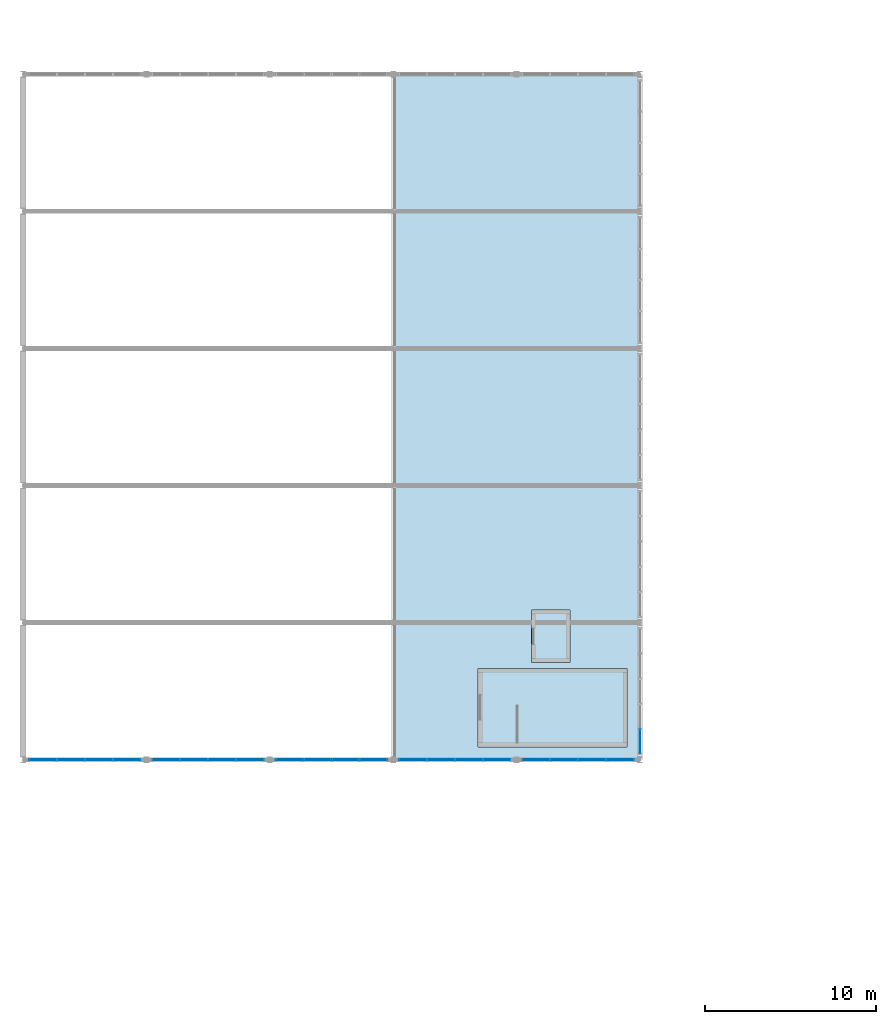
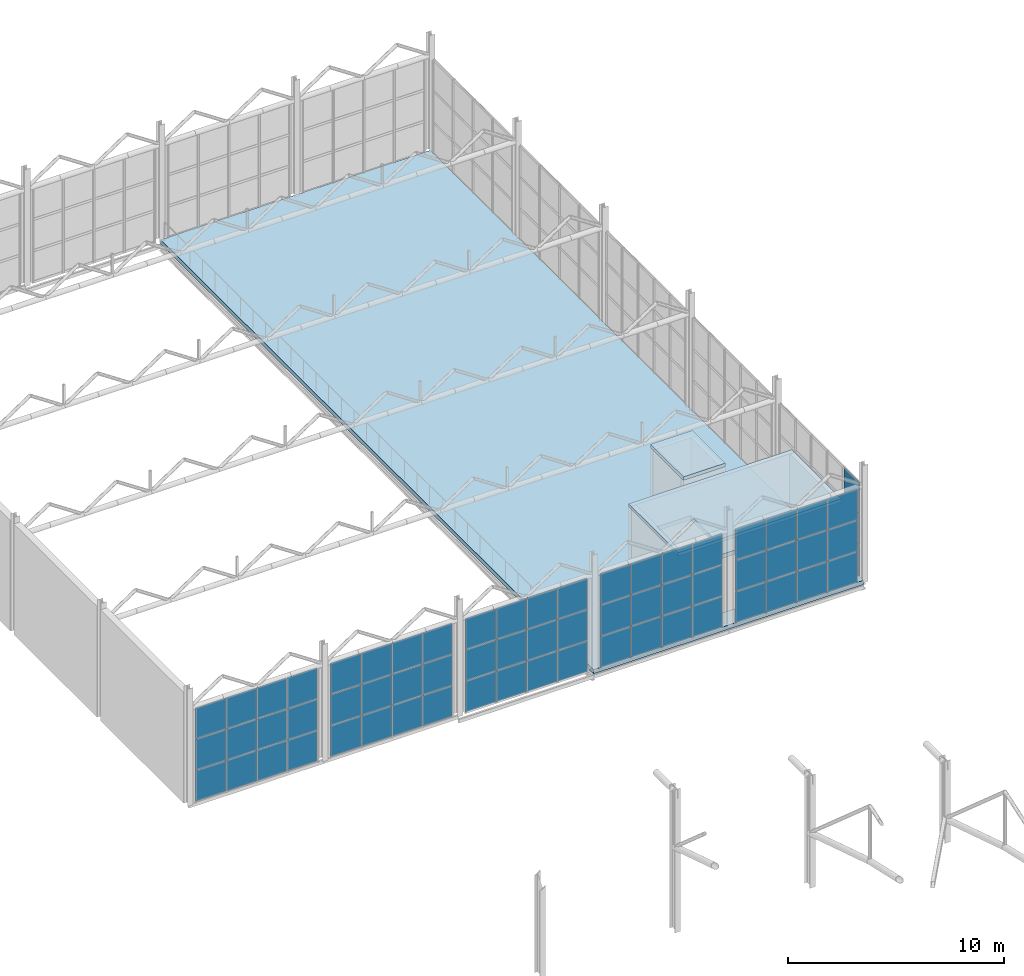
# One storey, part 125 of 153: 63 plates, 3 slabs, 6 elements without a shape of their own.
"""IFC4 building model written with IfcOpenShell, lengths in metres."""

from ifc_helpers import new_model, si_unit, derived_unit, direction, frame, origin, origin_2d, place, context, subcontext, project, spatial, polyline, rectangle, outline, extrude, material, layer, layer_set, type_object, element, aggregate, save


model = new_model("IFC4")

# Units and contexts
model_context = context("Model", 3, precision=1e-05, world=origin(), true_north=direction((0.0, 1.0)))
body_context = subcontext(model_context, "Body", "Model", "MODEL_VIEW")
ifc_project = project(units=[si_unit("LENGTHUNIT", "METRE"), si_unit("AREAUNIT", "SQUARE_METRE"), si_unit("VOLUMEUNIT", "CUBIC_METRE"), si_unit("PLANEANGLEUNIT", "RADIAN"), si_unit("MASSUNIT", "GRAM", prefix="KILO"), derived_unit("THERMALTRANSMITTANCEUNIT", [(si_unit("POWERUNIT", "WATT"), 1), (si_unit("LENGTHUNIT", "METRE"), -2), (si_unit("THERMODYNAMICTEMPERATUREUNIT", "KELVIN"), -1)])], contexts=[model_context])

# Site, building, storey
site_placement = place(None, origin())
site = spatial("IfcSite", under=ifc_project, at=site_placement, CompositionType="ELEMENT")
building_placement = place(site_placement, origin())
building = spatial("IfcBuilding", under=site, at=building_placement, Name="Keldorne Ridge Multi-Sports Centre", CompositionType="ELEMENT")
storey_placement = place(building_placement, frame((0.0, 0.0, 9.60009765625)))
storey = spatial("IfcBuildingStorey", under=building, at=storey_placement, Name="L02", CompositionType="ELEMENT", Elevation=9.60009765625)

# Curtain wall, plates
ifc_material_1 = material(Name="Anodized aluminium", Category="aluminium")
curtain_wall_type_1 = type_object("IfcCurtainWallType", Name="CW-CW-04", PredefinedType="NOTDEFINED", material=ifc_material_1)
curtain_wall_1_placement = place(storey_placement, origin())
curtain_wall_1 = element("IfcCurtainWall", 1, at=curtain_wall_1_placement, inside=storey, type_object=curtain_wall_type_1, Name="Climbing east courtyard glazing L02 060", PredefinedType="NOTDEFINED")
ifc_material_2 = material(Name="Double low-e insulated glazing", Category="glass")
ifc_layer_1 = layer(ifc_material_2, 0.035888671875)
ifc_layer_set_1 = layer_set([ifc_layer_1])
plate_type_1 = type_object("IfcPlateType", Name="PLT-GL-01", PredefinedType="CURTAIN_PANEL", material=ifc_layer_set_1)
plate_1_placement = place(storey_placement, frame((42.0, 75.072021484375, 0.02001953125), z_axis=(0.0, 0.0, 1.0), x_axis=(0.0, 1.0, 0.0)))
plate_1 = element("IfcPlate", 2, at=plate_1_placement, type_object=plate_type_1, Name="CW-060 glazed panel 1.1", PredefinedType="CURTAIN_PANEL", context=body_context, shape_type="SweptSolid", body=[
    extrude(rectangle(XDim=1.424072265625, YDim=0.035888671875, at=origin_2d()), origin(), (0.0, 0.0, 1.0), 1.726806640625),
])
plate_2_placement = place(storey_placement, frame((42.0, 75.072021484375, 1.78662109375), z_axis=(0.0, 0.0, 1.0), x_axis=(0.0, 1.0, 0.0)))
plate_2 = element("IfcPlate", 3, at=plate_2_placement, type_object=plate_type_1, Name="CW-060 glazed panel 1.2", PredefinedType="CURTAIN_PANEL", context=body_context, shape_type="SweptSolid", body=[
    extrude(rectangle(XDim=1.424072265625, YDim=0.035888671875, at=origin_2d()), origin(), (0.0, 0.0, 1.0), 1.726806640625),
])
plate_3_placement = place(storey_placement, frame((42.0, 75.072021484375, 3.55322265625), z_axis=(0.0, 0.0, 1.0), x_axis=(0.0, 1.0, 0.0)))
plate_3 = element("IfcPlate", 4, at=plate_3_placement, type_object=plate_type_1, Name="CW-060 glazed panel 1.3", PredefinedType="CURTAIN_PANEL", context=body_context, shape_type="SweptSolid", body=[
    extrude(rectangle(XDim=1.424072265625, YDim=0.035888671875, at=origin_2d()), origin(), (0.0, 0.0, 1.0), 1.726806640625),
])
aggregate(curtain_wall_1, [plate_1, plate_2, plate_3])

curtain_wall_2_placement = place(storey_placement, origin())
curtain_wall_2 = element("IfcCurtainWall", 5, at=curtain_wall_2_placement, inside=storey, type_object=curtain_wall_type_1, Name="Climbing upper south glazing 036", PredefinedType="NOTDEFINED")
ifc_material_3 = material(Name="Triple acoustic low-e glazing", Category="glass")
ifc_layer_2 = layer(ifc_material_3, 0.0439453125)
ifc_layer_set_2 = layer_set([ifc_layer_2])
plate_type_2 = type_object("IfcPlateType", Name="PLT-GL-02", PredefinedType="CURTAIN_PANEL", material=ifc_layer_set_2)
plate_4_placement = place(storey_placement, frame((7.155029296875, 74.0, 0.02001953125), z_axis=(0.0, 0.0, 1.0), x_axis=(1.0, 0.0, 0.0)))
plate_4 = element("IfcPlate", 6, at=plate_4_placement, type_object=plate_type_2, Name="CW-036 glazed panel 1.1", PredefinedType="CURTAIN_PANEL", context=body_context, shape_type="SweptSolid", body=[
    extrude(rectangle(XDim=1.590087890625, YDim=0.0439453125, at=origin_2d()), origin(), (0.0, 0.0, 1.0), 1.726806640625),
])
plate_5_placement = place(storey_placement, frame((7.155029296875, 74.0, 1.78662109375), z_axis=(0.0, 0.0, 1.0), x_axis=(1.0, 0.0, 0.0)))
plate_5 = element("IfcPlate", 7, at=plate_5_placement, type_object=plate_type_2, Name="CW-036 glazed panel 1.2", PredefinedType="CURTAIN_PANEL", context=body_context, shape_type="SweptSolid", body=[
    extrude(rectangle(XDim=1.590087890625, YDim=0.0439453125, at=origin_2d()), origin(), (0.0, 0.0, 1.0), 1.726806640625),
])
plate_6_placement = place(storey_placement, frame((7.155029296875, 74.0, 3.55322265625), z_axis=(0.0, 0.0, 1.0), x_axis=(1.0, 0.0, 0.0)))
plate_6 = element("IfcPlate", 8, at=plate_6_placement, type_object=plate_type_2, Name="CW-036 glazed panel 1.3", PredefinedType="CURTAIN_PANEL", context=body_context, shape_type="SweptSolid", body=[
    extrude(rectangle(XDim=1.590087890625, YDim=0.0439453125, at=origin_2d()), origin(), (0.0, 0.0, 1.0), 1.726806640625),
])
plate_7_placement = place(storey_placement, frame((8.784912109375, 74.0, 0.02001953125), z_axis=(0.0, 0.0, 1.0), x_axis=(1.0, 0.0, 0.0)))
plate_7 = element("IfcPlate", 9, at=plate_7_placement, type_object=plate_type_2, Name="CW-036 glazed panel 2.1", PredefinedType="CURTAIN_PANEL", context=body_context, shape_type="SweptSolid", body=[
    extrude(rectangle(XDim=1.590087890625, YDim=0.0439453125, at=origin_2d()), origin(), (0.0, 0.0, 1.0), 1.726806640625),
])
plate_8_placement = place(storey_placement, frame((8.784912109375, 74.0, 1.78662109375), z_axis=(0.0, 0.0, 1.0), x_axis=(1.0, 0.0, 0.0)))
plate_8 = element("IfcPlate", 10, at=plate_8_placement, type_object=plate_type_2, Name="CW-036 glazed panel 2.2", PredefinedType="CURTAIN_PANEL", context=body_context, shape_type="SweptSolid", body=[
    extrude(rectangle(XDim=1.590087890625, YDim=0.0439453125, at=origin_2d()), origin(), (0.0, 0.0, 1.0), 1.726806640625),
])
plate_9_placement = place(storey_placement, frame((8.784912109375, 74.0, 3.55322265625), z_axis=(0.0, 0.0, 1.0), x_axis=(1.0, 0.0, 0.0)))
plate_9 = element("IfcPlate", 11, at=plate_9_placement, type_object=plate_type_2, Name="CW-036 glazed panel 2.3", PredefinedType="CURTAIN_PANEL", context=body_context, shape_type="SweptSolid", body=[
    extrude(rectangle(XDim=1.590087890625, YDim=0.0439453125, at=origin_2d()), origin(), (0.0, 0.0, 1.0), 1.726806640625),
])
plate_10_placement = place(storey_placement, frame((10.4150390625, 74.0, 0.02001953125), z_axis=(0.0, 0.0, 1.0), x_axis=(1.0, 0.0, 0.0)))
plate_10 = element("IfcPlate", 12, at=plate_10_placement, type_object=plate_type_2, Name="CW-036 glazed panel 3.1", PredefinedType="CURTAIN_PANEL", context=body_context, shape_type="SweptSolid", body=[
    extrude(rectangle(XDim=1.590087890625, YDim=0.0439453125, at=origin_2d()), origin(), (0.0, 0.0, 1.0), 1.726806640625),
])
plate_11_placement = place(storey_placement, frame((10.4150390625, 74.0, 1.78662109375), z_axis=(0.0, 0.0, 1.0), x_axis=(1.0, 0.0, 0.0)))
plate_11 = element("IfcPlate", 13, at=plate_11_placement, type_object=plate_type_2, Name="CW-036 glazed panel 3.2", PredefinedType="CURTAIN_PANEL", context=body_context, shape_type="SweptSolid", body=[
    extrude(rectangle(XDim=1.590087890625, YDim=0.0439453125, at=origin_2d()), origin(), (0.0, 0.0, 1.0), 1.726806640625),
])
plate_12_placement = place(storey_placement, frame((10.4150390625, 74.0, 3.55322265625), z_axis=(0.0, 0.0, 1.0), x_axis=(1.0, 0.0, 0.0)))
plate_12 = element("IfcPlate", 14, at=plate_12_placement, type_object=plate_type_2, Name="CW-036 glazed panel 3.3", PredefinedType="CURTAIN_PANEL", context=body_context, shape_type="SweptSolid", body=[
    extrude(rectangle(XDim=1.590087890625, YDim=0.0439453125, at=origin_2d()), origin(), (0.0, 0.0, 1.0), 1.726806640625),
])
plate_13_placement = place(storey_placement, frame((12.044921875, 74.0, 0.02001953125), z_axis=(0.0, 0.0, 1.0), x_axis=(1.0, 0.0, 0.0)))
plate_13 = element("IfcPlate", 15, at=plate_13_placement, type_object=plate_type_2, Name="CW-036 glazed panel 4.1", PredefinedType="CURTAIN_PANEL", context=body_context, shape_type="SweptSolid", body=[
    extrude(rectangle(XDim=1.590087890625, YDim=0.0439453125, at=origin_2d()), origin(), (0.0, 0.0, 1.0), 1.726806640625),
])
plate_14_placement = place(storey_placement, frame((12.044921875, 74.0, 1.78662109375), z_axis=(0.0, 0.0, 1.0), x_axis=(1.0, 0.0, 0.0)))
plate_14 = element("IfcPlate", 16, at=plate_14_placement, type_object=plate_type_2, Name="CW-036 glazed panel 4.2", PredefinedType="CURTAIN_PANEL", context=body_context, shape_type="SweptSolid", body=[
    extrude(rectangle(XDim=1.590087890625, YDim=0.0439453125, at=origin_2d()), origin(), (0.0, 0.0, 1.0), 1.726806640625),
])
plate_15_placement = place(storey_placement, frame((12.044921875, 74.0, 3.55322265625), z_axis=(0.0, 0.0, 1.0), x_axis=(1.0, 0.0, 0.0)))
plate_15 = element("IfcPlate", 17, at=plate_15_placement, type_object=plate_type_2, Name="CW-036 glazed panel 4.3", PredefinedType="CURTAIN_PANEL", context=body_context, shape_type="SweptSolid", body=[
    extrude(rectangle(XDim=1.590087890625, YDim=0.0439453125, at=origin_2d()), origin(), (0.0, 0.0, 1.0), 1.726806640625),
])
aggregate(curtain_wall_2, [plate_4, plate_5, plate_6, plate_7, plate_8, plate_9, plate_10, plate_11, plate_12, plate_13, plate_14, plate_15])

curtain_wall_type_2 = type_object("IfcCurtainWallType", Name="CW-CW-01", PredefinedType="NOTDEFINED", material=ifc_material_1)
curtain_wall_3_placement = place(storey_placement, origin())
curtain_wall_3 = element("IfcCurtainWall", 18, at=curtain_wall_3_placement, inside=storey, type_object=curtain_wall_type_2, Name="Climbing upper south glazing 041", PredefinedType="NOTDEFINED")
plate_16_placement = place(storey_placement, frame((14.35498046875, 74.0, 0.02001953125), z_axis=(0.0, 0.0, 1.0), x_axis=(1.0, 0.0, 0.0)))
plate_16 = element("IfcPlate", 19, at=plate_16_placement, type_object=plate_type_2, Name="CW-041 glazed panel 1.1", PredefinedType="CURTAIN_PANEL", context=body_context, shape_type="SweptSolid", body=[
    extrude(rectangle(XDim=1.590087890625, YDim=0.0439453125, at=origin_2d()), origin(), (0.0, 0.0, 1.0), 1.726806640625),
])
plate_17_placement = place(storey_placement, frame((14.35498046875, 74.0, 1.78662109375), z_axis=(0.0, 0.0, 1.0), x_axis=(1.0, 0.0, 0.0)))
plate_17 = element("IfcPlate", 20, at=plate_17_placement, type_object=plate_type_2, Name="CW-041 glazed panel 1.2", PredefinedType="CURTAIN_PANEL", context=body_context, shape_type="SweptSolid", body=[
    extrude(rectangle(XDim=1.590087890625, YDim=0.0439453125, at=origin_2d()), origin(), (0.0, 0.0, 1.0), 1.726806640625),
])
plate_18_placement = place(storey_placement, frame((14.35498046875, 74.0, 3.55322265625), z_axis=(0.0, 0.0, 1.0), x_axis=(1.0, 0.0, 0.0)))
plate_18 = element("IfcPlate", 21, at=plate_18_placement, type_object=plate_type_2, Name="CW-041 glazed panel 1.3", PredefinedType="CURTAIN_PANEL", context=body_context, shape_type="SweptSolid", body=[
    extrude(rectangle(XDim=1.590087890625, YDim=0.0439453125, at=origin_2d()), origin(), (0.0, 0.0, 1.0), 1.726806640625),
])
plate_19_placement = place(storey_placement, frame((15.985107421875, 74.0, 0.02001953125), z_axis=(0.0, 0.0, 1.0), x_axis=(1.0, 0.0, 0.0)))
plate_19 = element("IfcPlate", 22, at=plate_19_placement, type_object=plate_type_2, Name="CW-041 glazed panel 2.1", PredefinedType="CURTAIN_PANEL", context=body_context, shape_type="SweptSolid", body=[
    extrude(rectangle(XDim=1.590087890625, YDim=0.0439453125, at=origin_2d()), origin(), (0.0, 0.0, 1.0), 1.726806640625),
])
plate_20_placement = place(storey_placement, frame((15.985107421875, 74.0, 1.78662109375), z_axis=(0.0, 0.0, 1.0), x_axis=(1.0, 0.0, 0.0)))
plate_20 = element("IfcPlate", 23, at=plate_20_placement, type_object=plate_type_2, Name="CW-041 glazed panel 2.2", PredefinedType="CURTAIN_PANEL", context=body_context, shape_type="SweptSolid", body=[
    extrude(rectangle(XDim=1.590087890625, YDim=0.0439453125, at=origin_2d()), origin(), (0.0, 0.0, 1.0), 1.726806640625),
])
plate_21_placement = place(storey_placement, frame((15.985107421875, 74.0, 3.55322265625), z_axis=(0.0, 0.0, 1.0), x_axis=(1.0, 0.0, 0.0)))
plate_21 = element("IfcPlate", 24, at=plate_21_placement, type_object=plate_type_2, Name="CW-041 glazed panel 2.3", PredefinedType="CURTAIN_PANEL", context=body_context, shape_type="SweptSolid", body=[
    extrude(rectangle(XDim=1.590087890625, YDim=0.0439453125, at=origin_2d()), origin(), (0.0, 0.0, 1.0), 1.726806640625),
])
plate_22_placement = place(storey_placement, frame((17.614990234375, 74.0, 0.02001953125), z_axis=(0.0, 0.0, 1.0), x_axis=(1.0, 0.0, 0.0)))
plate_22 = element("IfcPlate", 25, at=plate_22_placement, type_object=plate_type_2, Name="CW-041 glazed panel 3.1", PredefinedType="CURTAIN_PANEL", context=body_context, shape_type="SweptSolid", body=[
    extrude(rectangle(XDim=1.590087890625, YDim=0.0439453125, at=origin_2d()), origin(), (0.0, 0.0, 1.0), 1.726806640625),
])
plate_23_placement = place(storey_placement, frame((17.614990234375, 74.0, 1.78662109375), z_axis=(0.0, 0.0, 1.0), x_axis=(1.0, 0.0, 0.0)))
plate_23 = element("IfcPlate", 26, at=plate_23_placement, type_object=plate_type_2, Name="CW-041 glazed panel 3.2", PredefinedType="CURTAIN_PANEL", context=body_context, shape_type="SweptSolid", body=[
    extrude(rectangle(XDim=1.590087890625, YDim=0.0439453125, at=origin_2d()), origin(), (0.0, 0.0, 1.0), 1.726806640625),
])
plate_24_placement = place(storey_placement, frame((17.614990234375, 74.0, 3.55322265625), z_axis=(0.0, 0.0, 1.0), x_axis=(1.0, 0.0, 0.0)))
plate_24 = element("IfcPlate", 27, at=plate_24_placement, type_object=plate_type_2, Name="CW-041 glazed panel 3.3", PredefinedType="CURTAIN_PANEL", context=body_context, shape_type="SweptSolid", body=[
    extrude(rectangle(XDim=1.590087890625, YDim=0.0439453125, at=origin_2d()), origin(), (0.0, 0.0, 1.0), 1.726806640625),
])
plate_25_placement = place(storey_placement, frame((19.2451171875, 74.0, 0.02001953125), z_axis=(0.0, 0.0, 1.0), x_axis=(1.0, 0.0, 0.0)))
plate_25 = element("IfcPlate", 28, at=plate_25_placement, type_object=plate_type_2, Name="CW-041 glazed panel 4.1", PredefinedType="CURTAIN_PANEL", context=body_context, shape_type="SweptSolid", body=[
    extrude(rectangle(XDim=1.590087890625, YDim=0.0439453125, at=origin_2d()), origin(), (0.0, 0.0, 1.0), 1.726806640625),
])
plate_26_placement = place(storey_placement, frame((19.2451171875, 74.0, 1.78662109375), z_axis=(0.0, 0.0, 1.0), x_axis=(1.0, 0.0, 0.0)))
plate_26 = element("IfcPlate", 29, at=plate_26_placement, type_object=plate_type_2, Name="CW-041 glazed panel 4.2", PredefinedType="CURTAIN_PANEL", context=body_context, shape_type="SweptSolid", body=[
    extrude(rectangle(XDim=1.590087890625, YDim=0.0439453125, at=origin_2d()), origin(), (0.0, 0.0, 1.0), 1.726806640625),
])
plate_27_placement = place(storey_placement, frame((19.2451171875, 74.0, 3.55322265625), z_axis=(0.0, 0.0, 1.0), x_axis=(1.0, 0.0, 0.0)))
plate_27 = element("IfcPlate", 30, at=plate_27_placement, type_object=plate_type_2, Name="CW-041 glazed panel 4.3", PredefinedType="CURTAIN_PANEL", context=body_context, shape_type="SweptSolid", body=[
    extrude(rectangle(XDim=1.590087890625, YDim=0.0439453125, at=origin_2d()), origin(), (0.0, 0.0, 1.0), 1.726806640625),
])
aggregate(curtain_wall_3, [plate_16, plate_17, plate_18, plate_19, plate_20, plate_21, plate_22, plate_23, plate_24, plate_25, plate_26, plate_27])

curtain_wall_type_3 = type_object("IfcCurtainWallType", Name="CW-CW-05", PredefinedType="NOTDEFINED", material=ifc_material_1)
curtain_wall_4_placement = place(storey_placement, origin())
curtain_wall_4 = element("IfcCurtainWall", 31, at=curtain_wall_4_placement, inside=storey, type_object=curtain_wall_type_3, Name="Climbing upper south glazing 045", PredefinedType="NOTDEFINED")
plate_28_placement = place(storey_placement, frame((21.554931640625, 74.0, 0.02001953125), z_axis=(0.0, 0.0, 1.0), x_axis=(1.0, 0.0, 0.0)))
plate_28 = element("IfcPlate", 32, at=plate_28_placement, type_object=plate_type_2, Name="CW-045 glazed panel 1.1", PredefinedType="CURTAIN_PANEL", context=body_context, shape_type="SweptSolid", body=[
    extrude(rectangle(XDim=1.590087890625, YDim=0.0439453125, at=origin_2d()), origin(), (0.0, 0.0, 1.0), 1.726806640625),
])
plate_29_placement = place(storey_placement, frame((21.554931640625, 74.0, 1.78662109375), z_axis=(0.0, 0.0, 1.0), x_axis=(1.0, 0.0, 0.0)))
plate_29 = element("IfcPlate", 33, at=plate_29_placement, type_object=plate_type_2, Name="CW-045 glazed panel 1.2", PredefinedType="CURTAIN_PANEL", context=body_context, shape_type="SweptSolid", body=[
    extrude(rectangle(XDim=1.590087890625, YDim=0.0439453125, at=origin_2d()), origin(), (0.0, 0.0, 1.0), 1.726806640625),
])
plate_30_placement = place(storey_placement, frame((21.554931640625, 74.0, 3.55322265625), z_axis=(0.0, 0.0, 1.0), x_axis=(1.0, 0.0, 0.0)))
plate_30 = element("IfcPlate", 34, at=plate_30_placement, type_object=plate_type_2, Name="CW-045 glazed panel 1.3", PredefinedType="CURTAIN_PANEL", context=body_context, shape_type="SweptSolid", body=[
    extrude(rectangle(XDim=1.590087890625, YDim=0.0439453125, at=origin_2d()), origin(), (0.0, 0.0, 1.0), 1.726806640625),
])
plate_31_placement = place(storey_placement, frame((23.18505859375, 74.0, 0.02001953125), z_axis=(0.0, 0.0, 1.0), x_axis=(1.0, 0.0, 0.0)))
plate_31 = element("IfcPlate", 35, at=plate_31_placement, type_object=plate_type_2, Name="CW-045 glazed panel 2.1", PredefinedType="CURTAIN_PANEL", context=body_context, shape_type="SweptSolid", body=[
    extrude(rectangle(XDim=1.590087890625, YDim=0.0439453125, at=origin_2d()), origin(), (0.0, 0.0, 1.0), 1.726806640625),
])
plate_32_placement = place(storey_placement, frame((23.18505859375, 74.0, 1.78662109375), z_axis=(0.0, 0.0, 1.0), x_axis=(1.0, 0.0, 0.0)))
plate_32 = element("IfcPlate", 36, at=plate_32_placement, type_object=plate_type_2, Name="CW-045 glazed panel 2.2", PredefinedType="CURTAIN_PANEL", context=body_context, shape_type="SweptSolid", body=[
    extrude(rectangle(XDim=1.590087890625, YDim=0.0439453125, at=origin_2d()), origin(), (0.0, 0.0, 1.0), 1.726806640625),
])
plate_33_placement = place(storey_placement, frame((23.18505859375, 74.0, 3.55322265625), z_axis=(0.0, 0.0, 1.0), x_axis=(1.0, 0.0, 0.0)))
plate_33 = element("IfcPlate", 37, at=plate_33_placement, type_object=plate_type_2, Name="CW-045 glazed panel 2.3", PredefinedType="CURTAIN_PANEL", context=body_context, shape_type="SweptSolid", body=[
    extrude(rectangle(XDim=1.590087890625, YDim=0.0439453125, at=origin_2d()), origin(), (0.0, 0.0, 1.0), 1.726806640625),
])
plate_34_placement = place(storey_placement, frame((24.81494140625, 74.0, 0.02001953125), z_axis=(0.0, 0.0, 1.0), x_axis=(1.0, 0.0, 0.0)))
plate_34 = element("IfcPlate", 38, at=plate_34_placement, type_object=plate_type_2, Name="CW-045 glazed panel 3.1", PredefinedType="CURTAIN_PANEL", context=body_context, shape_type="SweptSolid", body=[
    extrude(rectangle(XDim=1.590087890625, YDim=0.0439453125, at=origin_2d()), origin(), (0.0, 0.0, 1.0), 1.726806640625),
])
plate_35_placement = place(storey_placement, frame((24.81494140625, 74.0, 1.78662109375), z_axis=(0.0, 0.0, 1.0), x_axis=(1.0, 0.0, 0.0)))
plate_35 = element("IfcPlate", 39, at=plate_35_placement, type_object=plate_type_2, Name="CW-045 glazed panel 3.2", PredefinedType="CURTAIN_PANEL", context=body_context, shape_type="SweptSolid", body=[
    extrude(rectangle(XDim=1.590087890625, YDim=0.0439453125, at=origin_2d()), origin(), (0.0, 0.0, 1.0), 1.726806640625),
])
plate_36_placement = place(storey_placement, frame((24.81494140625, 74.0, 3.55322265625), z_axis=(0.0, 0.0, 1.0), x_axis=(1.0, 0.0, 0.0)))
plate_36 = element("IfcPlate", 40, at=plate_36_placement, type_object=plate_type_2, Name="CW-045 glazed panel 3.3", PredefinedType="CURTAIN_PANEL", context=body_context, shape_type="SweptSolid", body=[
    extrude(rectangle(XDim=1.590087890625, YDim=0.0439453125, at=origin_2d()), origin(), (0.0, 0.0, 1.0), 1.726806640625),
])
plate_37_placement = place(storey_placement, frame((26.445068359375, 74.0, 0.02001953125), z_axis=(0.0, 0.0, 1.0), x_axis=(1.0, 0.0, 0.0)))
plate_37 = element("IfcPlate", 41, at=plate_37_placement, type_object=plate_type_2, Name="CW-045 glazed panel 4.1", PredefinedType="CURTAIN_PANEL", context=body_context, shape_type="SweptSolid", body=[
    extrude(rectangle(XDim=1.590087890625, YDim=0.0439453125, at=origin_2d()), origin(), (0.0, 0.0, 1.0), 1.726806640625),
])
plate_38_placement = place(storey_placement, frame((26.445068359375, 74.0, 1.78662109375), z_axis=(0.0, 0.0, 1.0), x_axis=(1.0, 0.0, 0.0)))
plate_38 = element("IfcPlate", 42, at=plate_38_placement, type_object=plate_type_2, Name="CW-045 glazed panel 4.2", PredefinedType="CURTAIN_PANEL", context=body_context, shape_type="SweptSolid", body=[
    extrude(rectangle(XDim=1.590087890625, YDim=0.0439453125, at=origin_2d()), origin(), (0.0, 0.0, 1.0), 1.726806640625),
])
plate_39_placement = place(storey_placement, frame((26.445068359375, 74.0, 3.55322265625), z_axis=(0.0, 0.0, 1.0), x_axis=(1.0, 0.0, 0.0)))
plate_39 = element("IfcPlate", 43, at=plate_39_placement, type_object=plate_type_2, Name="CW-045 glazed panel 4.3", PredefinedType="CURTAIN_PANEL", context=body_context, shape_type="SweptSolid", body=[
    extrude(rectangle(XDim=1.590087890625, YDim=0.0439453125, at=origin_2d()), origin(), (0.0, 0.0, 1.0), 1.726806640625),
])
aggregate(curtain_wall_4, [plate_28, plate_29, plate_30, plate_31, plate_32, plate_33, plate_34, plate_35, plate_36, plate_37, plate_38, plate_39])

curtain_wall_5_placement = place(storey_placement, origin())
curtain_wall_5 = element("IfcCurtainWall", 44, at=curtain_wall_5_placement, inside=storey, type_object=curtain_wall_type_2, Name="Climbing upper south glazing 049", PredefinedType="NOTDEFINED")
plate_40_placement = place(storey_placement, frame((28.7548828125, 74.0, 0.02001953125), z_axis=(0.0, 0.0, 1.0), x_axis=(1.0, 0.0, 0.0)))
plate_40 = element("IfcPlate", 45, at=plate_40_placement, type_object=plate_type_2, Name="CW-049 glazed panel 1.1", PredefinedType="CURTAIN_PANEL", context=body_context, shape_type="SweptSolid", body=[
    extrude(rectangle(XDim=1.590087890625, YDim=0.0439453125, at=origin_2d()), origin(), (0.0, 0.0, 1.0), 1.726806640625),
])
plate_41_placement = place(storey_placement, frame((28.7548828125, 74.0, 1.78662109375), z_axis=(0.0, 0.0, 1.0), x_axis=(1.0, 0.0, 0.0)))
plate_41 = element("IfcPlate", 46, at=plate_41_placement, type_object=plate_type_2, Name="CW-049 glazed panel 1.2", PredefinedType="CURTAIN_PANEL", context=body_context, shape_type="SweptSolid", body=[
    extrude(rectangle(XDim=1.590087890625, YDim=0.0439453125, at=origin_2d()), origin(), (0.0, 0.0, 1.0), 1.726806640625),
])
plate_42_placement = place(storey_placement, frame((28.7548828125, 74.0, 3.55322265625), z_axis=(0.0, 0.0, 1.0), x_axis=(1.0, 0.0, 0.0)))
plate_42 = element("IfcPlate", 47, at=plate_42_placement, type_object=plate_type_2, Name="CW-049 glazed panel 1.3", PredefinedType="CURTAIN_PANEL", context=body_context, shape_type="SweptSolid", body=[
    extrude(rectangle(XDim=1.590087890625, YDim=0.0439453125, at=origin_2d()), origin(), (0.0, 0.0, 1.0), 1.726806640625),
])
plate_43_placement = place(storey_placement, frame((30.385009765625, 74.0, 0.02001953125), z_axis=(0.0, 0.0, 1.0), x_axis=(1.0, 0.0, 0.0)))
plate_43 = element("IfcPlate", 48, at=plate_43_placement, type_object=plate_type_2, Name="CW-049 glazed panel 2.1", PredefinedType="CURTAIN_PANEL", context=body_context, shape_type="SweptSolid", body=[
    extrude(rectangle(XDim=1.590087890625, YDim=0.0439453125, at=origin_2d()), origin(), (0.0, 0.0, 1.0), 1.726806640625),
])
plate_44_placement = place(storey_placement, frame((30.385009765625, 74.0, 1.78662109375), z_axis=(0.0, 0.0, 1.0), x_axis=(1.0, 0.0, 0.0)))
plate_44 = element("IfcPlate", 49, at=plate_44_placement, type_object=plate_type_2, Name="CW-049 glazed panel 2.2", PredefinedType="CURTAIN_PANEL", context=body_context, shape_type="SweptSolid", body=[
    extrude(rectangle(XDim=1.590087890625, YDim=0.0439453125, at=origin_2d()), origin(), (0.0, 0.0, 1.0), 1.726806640625),
])
plate_45_placement = place(storey_placement, frame((30.385009765625, 74.0, 3.55322265625), z_axis=(0.0, 0.0, 1.0), x_axis=(1.0, 0.0, 0.0)))
plate_45 = element("IfcPlate", 50, at=plate_45_placement, type_object=plate_type_2, Name="CW-049 glazed panel 2.3", PredefinedType="CURTAIN_PANEL", context=body_context, shape_type="SweptSolid", body=[
    extrude(rectangle(XDim=1.590087890625, YDim=0.0439453125, at=origin_2d()), origin(), (0.0, 0.0, 1.0), 1.726806640625),
])
plate_46_placement = place(storey_placement, frame((32.014892578125, 74.0, 0.02001953125), z_axis=(0.0, 0.0, 1.0), x_axis=(1.0, 0.0, 0.0)))
plate_46 = element("IfcPlate", 51, at=plate_46_placement, type_object=plate_type_2, Name="CW-049 glazed panel 3.1", PredefinedType="CURTAIN_PANEL", context=body_context, shape_type="SweptSolid", body=[
    extrude(rectangle(XDim=1.590087890625, YDim=0.0439453125, at=origin_2d()), origin(), (0.0, 0.0, 1.0), 1.726806640625),
])
plate_47_placement = place(storey_placement, frame((32.014892578125, 74.0, 1.78662109375), z_axis=(0.0, 0.0, 1.0), x_axis=(1.0, 0.0, 0.0)))
plate_47 = element("IfcPlate", 52, at=plate_47_placement, type_object=plate_type_2, Name="CW-049 glazed panel 3.2", PredefinedType="CURTAIN_PANEL", context=body_context, shape_type="SweptSolid", body=[
    extrude(rectangle(XDim=1.590087890625, YDim=0.0439453125, at=origin_2d()), origin(), (0.0, 0.0, 1.0), 1.726806640625),
])
plate_48_placement = place(storey_placement, frame((32.014892578125, 74.0, 3.55322265625), z_axis=(0.0, 0.0, 1.0), x_axis=(1.0, 0.0, 0.0)))
plate_48 = element("IfcPlate", 53, at=plate_48_placement, type_object=plate_type_2, Name="CW-049 glazed panel 3.3", PredefinedType="CURTAIN_PANEL", context=body_context, shape_type="SweptSolid", body=[
    extrude(rectangle(XDim=1.590087890625, YDim=0.0439453125, at=origin_2d()), origin(), (0.0, 0.0, 1.0), 1.726806640625),
])
plate_49_placement = place(storey_placement, frame((33.64501953125, 74.0, 0.02001953125), z_axis=(0.0, 0.0, 1.0), x_axis=(1.0, 0.0, 0.0)))
plate_49 = element("IfcPlate", 54, at=plate_49_placement, type_object=plate_type_2, Name="CW-049 glazed panel 4.1", PredefinedType="CURTAIN_PANEL", context=body_context, shape_type="SweptSolid", body=[
    extrude(rectangle(XDim=1.590087890625, YDim=0.0439453125, at=origin_2d()), origin(), (0.0, 0.0, 1.0), 1.726806640625),
])
plate_50_placement = place(storey_placement, frame((33.64501953125, 74.0, 1.78662109375), z_axis=(0.0, 0.0, 1.0), x_axis=(1.0, 0.0, 0.0)))
plate_50 = element("IfcPlate", 55, at=plate_50_placement, type_object=plate_type_2, Name="CW-049 glazed panel 4.2", PredefinedType="CURTAIN_PANEL", context=body_context, shape_type="SweptSolid", body=[
    extrude(rectangle(XDim=1.590087890625, YDim=0.0439453125, at=origin_2d()), origin(), (0.0, 0.0, 1.0), 1.726806640625),
])
plate_51_placement = place(storey_placement, frame((33.64501953125, 74.0, 3.55322265625), z_axis=(0.0, 0.0, 1.0), x_axis=(1.0, 0.0, 0.0)))
plate_51 = element("IfcPlate", 56, at=plate_51_placement, type_object=plate_type_2, Name="CW-049 glazed panel 4.3", PredefinedType="CURTAIN_PANEL", context=body_context, shape_type="SweptSolid", body=[
    extrude(rectangle(XDim=1.590087890625, YDim=0.0439453125, at=origin_2d()), origin(), (0.0, 0.0, 1.0), 1.726806640625),
])
aggregate(curtain_wall_5, [plate_40, plate_41, plate_42, plate_43, plate_44, plate_45, plate_46, plate_47, plate_48, plate_49, plate_50, plate_51])

curtain_wall_type_4 = type_object("IfcCurtainWallType", Name="CW-CW-06", PredefinedType="NOTDEFINED", material=ifc_material_1)
curtain_wall_6_placement = place(storey_placement, origin())
curtain_wall_6 = element("IfcCurtainWall", 57, at=curtain_wall_6_placement, inside=storey, type_object=curtain_wall_type_4, Name="Climbing upper south glazing 054", PredefinedType="NOTDEFINED")
plate_52_placement = place(storey_placement, frame((35.955078125, 74.0, 0.02001953125), z_axis=(0.0, 0.0, 1.0), x_axis=(1.0, 0.0, 0.0)))
plate_52 = element("IfcPlate", 58, at=plate_52_placement, type_object=plate_type_2, Name="CW-054 glazed panel 1.1", PredefinedType="CURTAIN_PANEL", context=body_context, shape_type="SweptSolid", body=[
    extrude(rectangle(XDim=1.590087890625, YDim=0.0439453125, at=origin_2d()), origin(), (0.0, 0.0, 1.0), 1.726806640625),
])
plate_53_placement = place(storey_placement, frame((35.955078125, 74.0, 1.78662109375), z_axis=(0.0, 0.0, 1.0), x_axis=(1.0, 0.0, 0.0)))
plate_53 = element("IfcPlate", 59, at=plate_53_placement, type_object=plate_type_2, Name="CW-054 glazed panel 1.2", PredefinedType="CURTAIN_PANEL", context=body_context, shape_type="SweptSolid", body=[
    extrude(rectangle(XDim=1.590087890625, YDim=0.0439453125, at=origin_2d()), origin(), (0.0, 0.0, 1.0), 1.726806640625),
])
plate_54_placement = place(storey_placement, frame((35.955078125, 74.0, 3.55322265625), z_axis=(0.0, 0.0, 1.0), x_axis=(1.0, 0.0, 0.0)))
plate_54 = element("IfcPlate", 60, at=plate_54_placement, type_object=plate_type_2, Name="CW-054 glazed panel 1.3", PredefinedType="CURTAIN_PANEL", context=body_context, shape_type="SweptSolid", body=[
    extrude(rectangle(XDim=1.590087890625, YDim=0.0439453125, at=origin_2d()), origin(), (0.0, 0.0, 1.0), 1.726806640625),
])
plate_55_placement = place(storey_placement, frame((37.5849609375, 74.0, 0.02001953125), z_axis=(0.0, 0.0, 1.0), x_axis=(1.0, 0.0, 0.0)))
plate_55 = element("IfcPlate", 61, at=plate_55_placement, type_object=plate_type_2, Name="CW-054 glazed panel 2.1", PredefinedType="CURTAIN_PANEL", context=body_context, shape_type="SweptSolid", body=[
    extrude(rectangle(XDim=1.590087890625, YDim=0.0439453125, at=origin_2d()), origin(), (0.0, 0.0, 1.0), 1.726806640625),
])
plate_56_placement = place(storey_placement, frame((37.5849609375, 74.0, 1.78662109375), z_axis=(0.0, 0.0, 1.0), x_axis=(1.0, 0.0, 0.0)))
plate_56 = element("IfcPlate", 62, at=plate_56_placement, type_object=plate_type_2, Name="CW-054 glazed panel 2.2", PredefinedType="CURTAIN_PANEL", context=body_context, shape_type="SweptSolid", body=[
    extrude(rectangle(XDim=1.590087890625, YDim=0.0439453125, at=origin_2d()), origin(), (0.0, 0.0, 1.0), 1.726806640625),
])
plate_57_placement = place(storey_placement, frame((37.5849609375, 74.0, 3.55322265625), z_axis=(0.0, 0.0, 1.0), x_axis=(1.0, 0.0, 0.0)))
plate_57 = element("IfcPlate", 63, at=plate_57_placement, type_object=plate_type_2, Name="CW-054 glazed panel 2.3", PredefinedType="CURTAIN_PANEL", context=body_context, shape_type="SweptSolid", body=[
    extrude(rectangle(XDim=1.590087890625, YDim=0.0439453125, at=origin_2d()), origin(), (0.0, 0.0, 1.0), 1.726806640625),
])
plate_58_placement = place(storey_placement, frame((39.215087890625, 74.0, 0.02001953125), z_axis=(0.0, 0.0, 1.0), x_axis=(1.0, 0.0, 0.0)))
plate_58 = element("IfcPlate", 64, at=plate_58_placement, type_object=plate_type_2, Name="CW-054 glazed panel 3.1", PredefinedType="CURTAIN_PANEL", context=body_context, shape_type="SweptSolid", body=[
    extrude(rectangle(XDim=1.590087890625, YDim=0.0439453125, at=origin_2d()), origin(), (0.0, 0.0, 1.0), 1.726806640625),
])
plate_59_placement = place(storey_placement, frame((39.215087890625, 74.0, 1.78662109375), z_axis=(0.0, 0.0, 1.0), x_axis=(1.0, 0.0, 0.0)))
plate_59 = element("IfcPlate", 65, at=plate_59_placement, type_object=plate_type_2, Name="CW-054 glazed panel 3.2", PredefinedType="CURTAIN_PANEL", context=body_context, shape_type="SweptSolid", body=[
    extrude(rectangle(XDim=1.590087890625, YDim=0.0439453125, at=origin_2d()), origin(), (0.0, 0.0, 1.0), 1.726806640625),
])
plate_60_placement = place(storey_placement, frame((39.215087890625, 74.0, 3.55322265625), z_axis=(0.0, 0.0, 1.0), x_axis=(1.0, 0.0, 0.0)))
plate_60 = element("IfcPlate", 66, at=plate_60_placement, type_object=plate_type_2, Name="CW-054 glazed panel 3.3", PredefinedType="CURTAIN_PANEL", context=body_context, shape_type="SweptSolid", body=[
    extrude(rectangle(XDim=1.590087890625, YDim=0.0439453125, at=origin_2d()), origin(), (0.0, 0.0, 1.0), 1.726806640625),
])
plate_61_placement = place(storey_placement, frame((40.844970703125, 74.0, 0.02001953125), z_axis=(0.0, 0.0, 1.0), x_axis=(1.0, 0.0, 0.0)))
plate_61 = element("IfcPlate", 67, at=plate_61_placement, type_object=plate_type_2, Name="CW-054 glazed panel 4.1", PredefinedType="CURTAIN_PANEL", context=body_context, shape_type="SweptSolid", body=[
    extrude(rectangle(XDim=1.590087890625, YDim=0.0439453125, at=origin_2d()), origin(), (0.0, 0.0, 1.0), 1.726806640625),
])
plate_62_placement = place(storey_placement, frame((40.844970703125, 74.0, 1.78662109375), z_axis=(0.0, 0.0, 1.0), x_axis=(1.0, 0.0, 0.0)))
plate_62 = element("IfcPlate", 68, at=plate_62_placement, type_object=plate_type_2, Name="CW-054 glazed panel 4.2", PredefinedType="CURTAIN_PANEL", context=body_context, shape_type="SweptSolid", body=[
    extrude(rectangle(XDim=1.590087890625, YDim=0.0439453125, at=origin_2d()), origin(), (0.0, 0.0, 1.0), 1.726806640625),
])
plate_63_placement = place(storey_placement, frame((40.844970703125, 74.0, 3.55322265625), z_axis=(0.0, 0.0, 1.0), x_axis=(1.0, 0.0, 0.0)))
plate_63 = element("IfcPlate", 69, at=plate_63_placement, type_object=plate_type_2, Name="CW-054 glazed panel 4.3", PredefinedType="CURTAIN_PANEL", context=body_context, shape_type="SweptSolid", body=[
    extrude(rectangle(XDim=1.590087890625, YDim=0.0439453125, at=origin_2d()), origin(), (0.0, 0.0, 1.0), 1.726806640625),
])
aggregate(curtain_wall_6, [plate_52, plate_53, plate_54, plate_55, plate_56, plate_57, plate_58, plate_59, plate_60, plate_61, plate_62, plate_63])

# Slabs
ifc_material_4 = material(Name="Concrete C35/45", Category="concrete")
ifc_layer_3 = layer(ifc_material_4, 0.239990234375)
ifc_layer_set_3 = layer_set([ifc_layer_3], Name="Concrete C35/45")
slab_type_1 = type_object("IfcSlabType", Name="SLB-SL-F03", PredefinedType="FLOOR", material=ifc_layer_set_3)
slab_1_placement = place(storey_placement, frame((0.0, 0.0, -0.239990234375)))
element("IfcSlab", 70, at=slab_1_placement, inside=storey, type_object=slab_type_1, Name="Second floor Climbing Concourse slab", PredefinedType="FLOOR", context=body_context, shape_type="SweptSolid", body=[
    extrude(outline(polyline([(27.60009765625, 74.0), (42.0, 74.0), (42.0, 114.0), (27.60009765625, 114.0), (27.60009765625, 74.0)]), holes=[polyline([(34.97998046875, 75.0), (34.97998046875, 79.080078125), (41.0, 79.080078125), (41.0, 75.0), (34.97998046875, 75.0)]), polyline([(35.89990234375, 79.89990234375), (35.89990234375, 82.5), (37.699951171875, 82.5), (37.699951171875, 79.89990234375), (35.89990234375, 79.89990234375)])]), origin(), (0.0, 0.0, 1.0), 0.239990234375),
])
ifc_layer_4 = layer(ifc_material_4, 0.18994140625)
ifc_layer_set_4 = layer_set([ifc_layer_4], Name="Concrete C35/45")
slab_type_2 = type_object("IfcSlabType", Name="SLB-SL-F04", PredefinedType="FLOOR", material=ifc_layer_set_4)
slab_2_placement = place(storey_placement, frame((0.0, 0.0, 4.2099609375)))
element("IfcSlab", 71, at=slab_2_placement, inside=storey, type_object=slab_type_2, Name="Stair ST-06 shaft top cap slab", PredefinedType="FLOOR", context=body_context, shape_type="SweptSolid", body=[
    extrude(outline(polyline([(32.550048828125, 74.75), (41.25, 74.75), (41.25, 79.330078125), (32.550048828125, 79.330078125), (32.550048828125, 74.75)])), origin(), (0.0, 0.0, 1.0), 0.18994140625),
])
slab_3_placement = place(storey_placement, frame((0.0, 0.0, 4.39990234375)))
element("IfcSlab", 72, at=slab_3_placement, inside=storey, type_object=slab_type_2, Name="Lift L-04 overrun shaft cap", PredefinedType="FLOOR", context=body_context, shape_type="SweptSolid", body=[
    extrude(outline(polyline([(35.679931640625, 79.679931640625), (37.919921875, 79.679931640625), (37.919921875, 82.719970703125), (35.679931640625, 82.719970703125), (35.679931640625, 79.679931640625)])), origin(), (0.0, 0.0, 1.0), 0.199951171875),
])

save(model, "model.ifc")
